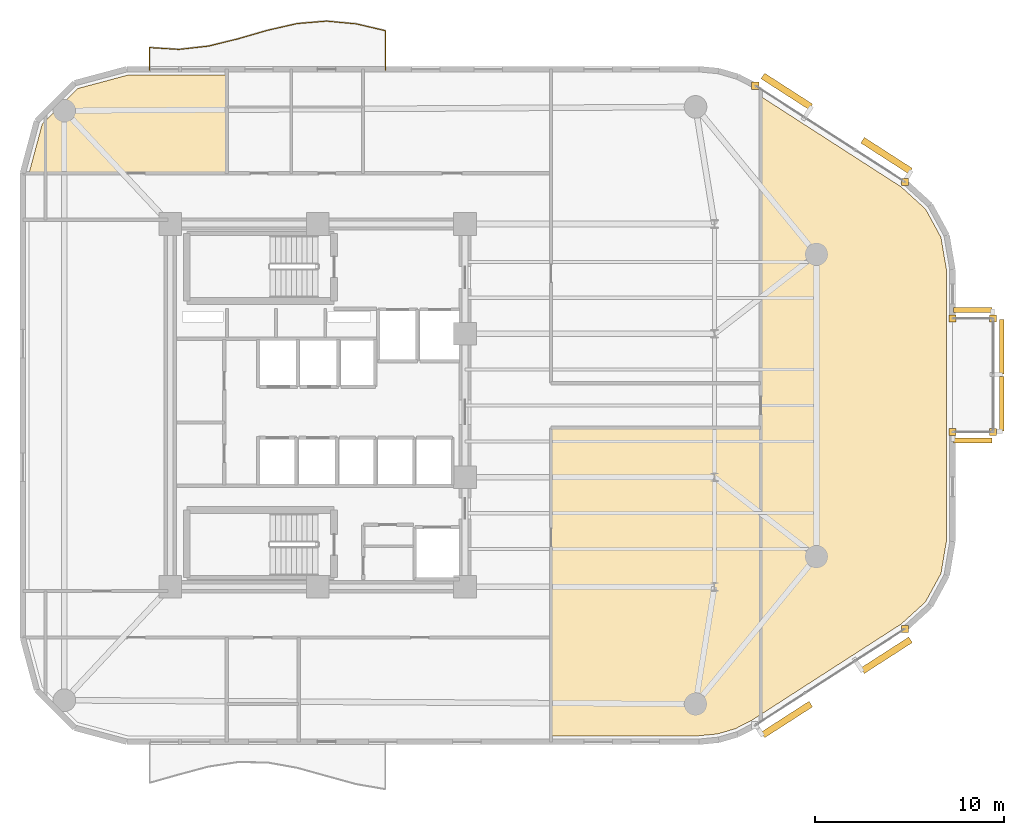
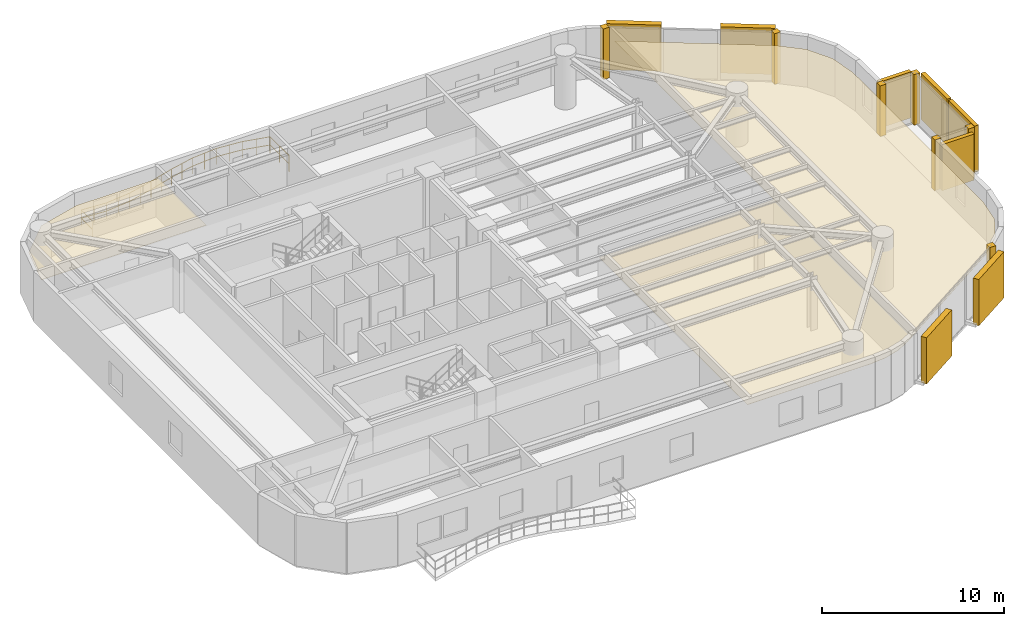
# One storey, part 12 of 12: 10 coverings, 8 shading devices, 1 railing.
"""IFC4 building model written with IfcOpenShell, lengths in metres."""

from ifc_helpers import new_model, si_unit, direction, frame, origin, origin_2d, place, context, subcontext, project, spatial, polyline, rectangle, circle, outline, extrude, material, layer, layer_set, type_object, element, save


model = new_model("IFC4")

# Units and contexts
model_context = context("Model", 3, precision=1e-05, world=origin(), true_north=direction((0.0, 1.0)))
body_context = subcontext(model_context, "Body", "Model", "MODEL_VIEW")
ifc_project = project(units=[si_unit("LENGTHUNIT", "METRE"), si_unit("AREAUNIT", "SQUARE_METRE"), si_unit("VOLUMEUNIT", "CUBIC_METRE"), si_unit("PLANEANGLEUNIT", "RADIAN"), si_unit("MASSUNIT", "GRAM", prefix="KILO")], contexts=[model_context])

# Site, building, storey
site_placement = place(None, origin())
site = spatial("IfcSite", under=ifc_project, at=site_placement, CompositionType="ELEMENT")
building_placement = place(site_placement, origin())
building = spatial("IfcBuilding", under=site, at=building_placement, Name="An Khanh Terracotta Commons", CompositionType="ELEMENT")
storey_placement = place(building_placement, frame((0.0, 0.0, 161.800048828125)))
storey = spatial("IfcBuildingStorey", under=building, at=storey_placement, Name="L42", CompositionType="ELEMENT", Elevation=161.800048828125)

# Coverings
ifc_material_1 = material(Name="Perforated Mineral-Fibre Acoustic Tile")
ifc_layer_1 = layer(ifc_material_1, 0.02001953125, Name="Perforated Mineral-Fibre Acoustic Tile")
ifc_layer_set_1 = layer_set([ifc_layer_1], Name="Perforated Mineral-Fibre Acoustic Tile")
covering_type_1 = type_object("IfcCoveringType", Name="CEIL-ACOUSTIC-18", PredefinedType="CEILING", material=ifc_layer_set_1)
covering_1_placement = place(storey_placement, frame((0.0, 0.0, 2.64990234375)))
element("IfcCovering", 1, at=covering_1_placement, inside=storey, type_object=covering_type_1, Name="L42 Riverfront Reading Hall Ceiling", PredefinedType="CEILING", context=body_context, shape_type="SweptSolid", body=[
    extrude(outline(polyline([(52.39892578125, 7.35302734375), (51.510009765625, 6.89306640625), (50.56396484375, 6.615966796875), (49.56689453125, 6.52001953125), (41.75, 6.52001953125), (41.75, 11.719970703125), (41.75, 14.179931640625), (41.75, 22.820068359375), (52.85009765625, 22.820068359375), (52.85009765625, 7.64306640625), (52.39892578125, 7.35302734375)])), origin(), (0.0, 0.0, 1.0), 0.02001953125),
])
covering_2_placement = place(storey_placement, frame((0.0, 0.0, 2.64990234375)))
element("IfcCovering", 2, at=covering_2_placement, inside=storey, type_object=covering_type_1, Name="L42 Riverfront Reference Library Ceiling", PredefinedType="CEILING", context=body_context, shape_type="SweptSolid", body=[
    extrude(outline(polyline([(60.281982421875, 35.569091796875), (61.571044921875, 34.39697265625), (62.39111328125, 32.89111328125), (62.679931640625, 31.173095703125), (62.679931640625, 16.826904296875), (62.39111328125, 15.10888671875), (61.571044921875, 13.60302734375), (60.281982421875, 12.430908203125), (52.85009765625, 7.64306640625), (52.85009765625, 22.820068359375), (52.85009765625, 25.179931640625), (52.85009765625, 40.35693359375), (60.281982421875, 35.569091796875)])), origin(), (0.0, 0.0, 1.0), 0.02001953125),
])
covering_3_placement = place(storey_placement, frame((0.0, 0.0, 2.64990234375)))
element("IfcCovering", 3, at=covering_3_placement, inside=storey, type_object=covering_type_1, Name="L42 Student Reading Library Ceiling", PredefinedType="CEILING", context=body_context, shape_type="SweptSolid", body=[
    extrude(outline(polyline([(24.60009765625, 41.47998046875), (24.60009765625, 39.800048828125), (24.60009765625, 36.280029296875), (15.0, 36.280029296875), (14.1259765625, 36.280029296875), (14.823974609375, 38.884033203125), (16.716064453125, 40.77587890625), (19.342041015625, 41.47998046875), (24.60009765625, 41.47998046875)])), origin(), (0.0, 0.0, 1.0), 0.02001953125),
])
ifc_material_2 = material(Name="Fired Terracotta Rainscreen Cladding", Category="masonry")
ifc_layer_2 = layer(ifc_material_2, 0.080078125, Name="Fired Terracotta Rainscreen Cladding")
ifc_layer_set_2 = layer_set([ifc_layer_2], Name="Fired Terracotta Rainscreen Cladding")
covering_type_2 = type_object("IfcCoveringType", Name="COV-JAMB-TERRA", PredefinedType="CLADDING", material=ifc_layer_set_2)
for number, where, z_axis, x_axis, name in (
    (4, (60.47802734375, 12.176025390625, 0.0), (0.0, 0.0, 1.0), (1.0, 0.0, 0.0), "L42 CW-03 Curtain-Wall Jamb Closure JB"),
    (5, (65.14990234375, 22.60009765625, 0.0), (0.0, 0.0, 1.0), (1.0, 0.0, 0.0), "L42 CW-04 Curtain-Wall Jamb Closure JA"),
    (6, (65.14990234375, 28.60009765625, 0.0), (0.0, 0.0, 1.0), (1.0, 0.0, 0.0), "L42 CW-04 Curtain-Wall Jamb Closure JB"),
    (7, (63.0, 22.60009765625, 0.0), (0.0, 0.0, 1.0), (1.0, 0.0, 0.0), "L42 CW-04 Curtain-Wall Jamb Closure JA"),
    (8, (63.0, 28.60009765625, 0.0), (0.0, 0.0, 1.0), (1.0, 0.0, 0.0), "L42 CW-04 Curtain-Wall Jamb Closure JB"),
    (9, (60.47802734375, 35.823974609375, 0.0), (0.0, 0.0, 1.0), (1.0, 0.0, 0.0), "L42 CW-03 Curtain-Wall Jamb Closure JA"),
    (10, (52.56005859375, 40.924072265625, 0.0), (0.0, 0.0, 1.0), (1.0, 0.0, 0.0), "L42 CW-03 Curtain-Wall Jamb Closure JB"),
):
    element("IfcCovering", number, at=place(storey_placement, frame(where, z_axis=z_axis, x_axis=x_axis)), inside=storey, type_object=covering_type_2, Name=name, PredefinedType="CLADDING", context=body_context, shape_type="SweptSolid", body=[
        extrude(rectangle(XDim=0.3798828125, YDim=0.3798828125, at=origin_2d()), origin(), (0.0, 0.0, 1.0), 3.39990234375),
    ])

# Railing
ifc_material_3 = material(Name="Brushed Stainless Steel 316", Category="steel")
railing_type = type_object("IfcRailingType", Name="RAIL-BALUSTRADE-1100", PredefinedType="BALUSTRADE", material=ifc_material_3)
railing_placement = place(storey_placement, frame((33.0, 41.739990234375, 0.0)))
element("IfcRailing", 11, at=railing_placement, inside=storey, type_object=railing_type, Name="L42 N Wave Balcony Guard Balustrade", PredefinedType="BALUSTRADE", context=body_context, shape_type="SweptSolid", body=[
    extrude(circle(Radius=0.02392578125, at=origin_2d()), frame((0.0, 0.0, 1.076171875), z_axis=(0.0, 1.0, 0.0), x_axis=(-1.0, 0.0, 0.0)), (0.0, 0.0, 1.0), 2.091064453125),
    extrude(circle(Radius=0.02392578125, at=origin_2d()), frame((0.0, 0.0, 0.52587890625), z_axis=(0.0, 1.0, 0.0), x_axis=(-1.0, 0.0, 0.0)), (0.0, 0.0, 1.0), 2.091064453125),
    extrude(circle(Radius=0.02392578125, at=origin_2d()), frame((0.0, 2.091064453125, 1.076171875), z_axis=(-0.973769311576, 0.227537530604, 0.0), x_axis=(-0.227537530604, -0.973769311576, 0.0)), (0.0, 0.0, 1.0), 1.60400390625),
    extrude(circle(Radius=0.02392578125, at=origin_2d()), frame((0.0, 2.091064453125, 0.52587890625), z_axis=(-0.973769311576, 0.227537530604, 0.0), x_axis=(-0.227537530604, -0.973769311576, 0.0)), (0.0, 0.0, 1.0), 1.60400390625),
    extrude(circle(Radius=0.02392578125, at=origin_2d()), frame((-1.56201171875, 2.4560546875, 1.076171875), z_axis=(-0.995780247509, 0.091769813501, 0.0), x_axis=(-0.091769813501, -0.995780247509, 0.0)), (0.0, 0.0, 1.0), 1.569580078125),
    extrude(circle(Radius=0.02392578125, at=origin_2d()), frame((-1.56201171875, 2.4560546875, 0.52587890625), z_axis=(-0.995780247509, 0.091769813501, 0.0), x_axis=(-0.091769813501, -0.995780247509, 0.0)), (0.0, 0.0, 1.0), 1.569580078125),
    extrude(circle(Radius=0.02392578125, at=origin_2d()), frame((-3.125, 2.60009765625, 1.076171875), z_axis=(-0.99655219646, -0.082968185054, 0.0), x_axis=(0.082968185054, -0.99655219646, 0.0)), (0.0, 0.0, 1.0), 1.568359375),
    extrude(circle(Radius=0.02392578125, at=origin_2d()), frame((-3.125, 2.60009765625, 0.52587890625), z_axis=(-0.99655219646, -0.082968185054, 0.0), x_axis=(0.082968185054, -0.99655219646, 0.0)), (0.0, 0.0, 1.0), 1.568359375),
    extrude(circle(Radius=0.02392578125, at=origin_2d()), frame((-4.68798828125, 2.469970703125, 1.076171875), z_axis=(-0.975003951469, -0.222187521295, 0.0), x_axis=(0.222187521295, -0.975003951469, 0.0)), (0.0, 0.0, 1.0), 1.60205078125),
    extrude(circle(Radius=0.02392578125, at=origin_2d()), frame((-4.68798828125, 2.469970703125, 0.52587890625), z_axis=(-0.975003951469, -0.222187521295, 0.0), x_axis=(0.222187521295, -0.975003951469, 0.0)), (0.0, 0.0, 1.0), 1.60205078125),
    extrude(circle(Radius=0.02392578125, at=origin_2d()), frame((-6.25, 2.114013671875, 1.076171875), z_axis=(-0.960606465703, -0.27791224883, 0.0), x_axis=(0.27791224883, -0.960606465703, 0.0)), (0.0, 0.0, 1.0), 1.6259765625),
    extrude(circle(Radius=0.02392578125, at=origin_2d()), frame((-6.25, 2.114013671875, 0.52587890625), z_axis=(-0.960606465703, -0.27791224883, 0.0), x_axis=(0.27791224883, -0.960606465703, 0.0)), (0.0, 0.0, 1.0), 1.6259765625),
    extrude(circle(Radius=0.02392578125, at=origin_2d()), frame((-7.81201171875, 1.662109375, 1.076171875), z_axis=(-0.971116076052, -0.238607558205, 0.0), x_axis=(0.238607558205, -0.971116076052, 0.0)), (0.0, 0.0, 1.0), 1.609375),
    extrude(circle(Radius=0.02392578125, at=origin_2d()), frame((-7.81201171875, 1.662109375, 0.52587890625), z_axis=(-0.971116076052, -0.238607558205, 0.0), x_axis=(0.238607558205, -0.971116076052, 0.0)), (0.0, 0.0, 1.0), 1.609375),
    extrude(circle(Radius=0.02392578125, at=origin_2d()), frame((-9.375, 1.278076171875, 1.076171875), z_axis=(-0.993786808935, -0.111300397064, 0.0), x_axis=(0.111300397064, -0.993786808935, 0.0)), (0.0, 0.0, 1.0), 1.57275390625),
    extrude(circle(Radius=0.02392578125, at=origin_2d()), frame((-9.375, 1.278076171875, 0.52587890625), z_axis=(-0.993786808935, -0.111300397064, 0.0), x_axis=(0.111300397064, -0.993786808935, 0.0)), (0.0, 0.0, 1.0), 1.57275390625),
    extrude(circle(Radius=0.02392578125, at=origin_2d()), frame((-10.93798828125, 1.10302734375, 1.076171875), z_axis=(-0.998080400461, 0.061931528444, 0.0), x_axis=(-0.061931528444, -0.998080400461, 0.0)), (0.0, 0.0, 1.0), 1.56494140625),
    extrude(circle(Radius=0.02392578125, at=origin_2d()), frame((-10.93798828125, 1.10302734375, 0.52587890625), z_axis=(-0.998080400461, 0.061931528444, 0.0), x_axis=(-0.061931528444, -0.998080400461, 0.0)), (0.0, 0.0, 1.0), 1.56494140625),
    extrude(circle(Radius=0.02392578125, at=origin_2d()), frame((-12.5, 1.199951171875, 1.076171875), z_axis=(0.0, -1.0, 0.0), x_axis=(1.0, 0.0, 0.0)), (0.0, 0.0, 1.0), 1.199951171875),
    extrude(circle(Radius=0.02392578125, at=origin_2d()), frame((-12.5, 1.199951171875, 0.52587890625), z_axis=(0.0, -1.0, 0.0), x_axis=(1.0, 0.0, 0.0)), (0.0, 0.0, 1.0), 1.199951171875),
    extrude(circle(Radius=0.02099609375, at=origin_2d()), origin(), (0.0, 0.0, 1.0), 1.052001953125),
    extrude(circle(Radius=0.02099609375, at=origin_2d()), frame((0.0, 1.04541015625, 0.0)), (0.0, 0.0, 1.0), 1.052001953125),
    extrude(circle(Radius=0.02099609375, at=origin_2d()), frame((0.0, 2.091064453125, 0.0)), (0.0, 0.0, 1.0), 1.052001953125),
    extrude(circle(Radius=0.02099609375, at=origin_2d()), frame((-0.781005859375, 2.2734375, 0.0)), (0.0, 0.0, 1.0), 1.052001953125),
    extrude(circle(Radius=0.02099609375, at=origin_2d()), frame((-1.56201171875, 2.4560546875, 0.0)), (0.0, 0.0, 1.0), 1.052001953125),
    extrude(circle(Radius=0.02099609375, at=origin_2d()), frame((-2.343505859375, 2.528076171875, 0.0)), (0.0, 0.0, 1.0), 1.052001953125),
    extrude(circle(Radius=0.02099609375, at=origin_2d()), frame((-3.125, 2.60009765625, 0.0)), (0.0, 0.0, 1.0), 1.052001953125),
    extrude(circle(Radius=0.02099609375, at=origin_2d()), frame((-3.906494140625, 2.53515625, 0.0)), (0.0, 0.0, 1.0), 1.052001953125),
    extrude(circle(Radius=0.02099609375, at=origin_2d()), frame((-4.68798828125, 2.469970703125, 0.0)), (0.0, 0.0, 1.0), 1.052001953125),
    extrude(circle(Radius=0.02099609375, at=origin_2d()), frame((-5.468994140625, 2.2919921875, 0.0)), (0.0, 0.0, 1.0), 1.052001953125),
    extrude(circle(Radius=0.02099609375, at=origin_2d()), frame((-6.25, 2.114013671875, 0.0)), (0.0, 0.0, 1.0), 1.052001953125),
    extrude(circle(Radius=0.02099609375, at=origin_2d()), frame((-7.031005859375, 1.88818359375, 0.0)), (0.0, 0.0, 1.0), 1.052001953125),
    extrude(circle(Radius=0.02099609375, at=origin_2d()), frame((-7.81201171875, 1.662109375, 0.0)), (0.0, 0.0, 1.0), 1.052001953125),
    extrude(circle(Radius=0.02099609375, at=origin_2d()), frame((-8.593505859375, 1.47021484375, 0.0)), (0.0, 0.0, 1.0), 1.052001953125),
    extrude(circle(Radius=0.02099609375, at=origin_2d()), frame((-9.375, 1.278076171875, 0.0)), (0.0, 0.0, 1.0), 1.052001953125),
    extrude(circle(Radius=0.02099609375, at=origin_2d()), frame((-10.156494140625, 1.1904296875, 0.0)), (0.0, 0.0, 1.0), 1.052001953125),
    extrude(circle(Radius=0.02099609375, at=origin_2d()), frame((-10.93798828125, 1.10302734375, 0.0)), (0.0, 0.0, 1.0), 1.052001953125),
    extrude(circle(Radius=0.02099609375, at=origin_2d()), frame((-11.718994140625, 1.1513671875, 0.0)), (0.0, 0.0, 1.0), 1.052001953125),
    extrude(circle(Radius=0.02099609375, at=origin_2d()), frame((-12.5, 1.199951171875, 0.0)), (0.0, 0.0, 1.0), 1.052001953125),
    extrude(circle(Radius=0.02099609375, at=origin_2d()), frame((-12.5, 0.0, 0.0)), (0.0, 0.0, 1.0), 1.052001953125),
])

# Shading devices
ifc_material_4 = material(Name="Warm Hardwood Timber-Finish Aluminium", Category="wood")
shading_device_type_1 = type_object("IfcShadingDeviceType", Name="Shifted Box Timber-Toned Louvre Screen", PredefinedType="USERDEFINED", material=ifc_material_4)
for number, where, z_axis, x_axis, name in (
    (12, (65.60009765625, 24.10009765625, 0.14990234375), (0.0, 0.0, 1.0), (0.0, 1.0, 0.0), "L42 Louvre Screen 1"),
    (13, (65.60009765625, 27.10009765625, 0.14990234375), (0.0, 0.0, 1.0), (0.0, 1.0, 0.0), "L42 Louvre Screen 2"),
):
    element("IfcShadingDevice", number, at=place(storey_placement, frame(where, z_axis=z_axis, x_axis=x_axis)), inside=storey, type_object=shading_device_type_1, Name=name, ObjectType="LOUVRE", PredefinedType="USERDEFINED", context=body_context, shape_type="SweptSolid", body=[
        extrude(rectangle(XDim=2.8798828125, YDim=0.25, at=origin_2d()), origin(), (0.0, 0.0, 1.0), 3.10009765625),
    ])
for number, where, z_axis, x_axis, name in (
    (14, (64.074951171875, 22.14990234375, 0.14990234375), (0.0, 0.0, 1.0), (1.0, 0.0, 0.0), "L42 Louvre Screen 1"),
    (15, (64.074951171875, 29.050048828125, 0.14990234375), (0.0, 0.0, 1.0), (-1.0, 0.0, 0.0), "L42 Louvre Screen 1"),
):
    element("IfcShadingDevice", number, at=place(storey_placement, frame(where, z_axis=z_axis, x_axis=x_axis)), inside=storey, type_object=shading_device_type_1, Name=name, ObjectType="LOUVRE", PredefinedType="USERDEFINED", context=body_context, shape_type="SweptSolid", body=[
        extrude(rectangle(XDim=2.030029296875, YDim=0.25, at=origin_2d()), origin(), (0.0, 0.0, 1.0), 3.10009765625),
    ])
ifc_material_5 = material(Name="Extruded Fired Terracotta", Category="masonry")
shading_device_type_2 = type_object("IfcShadingDeviceType", Name="Terracotta Baguette Screen Assembly", PredefinedType="USERDEFINED", material=ifc_material_5)
for number, where, z_axis, x_axis, name in (
    (16, (54.23193359375, 7.3798828125, 0.14990234375), (0.0, 0.0, 1.0), (0.840702081986, 0.541497931062, 0.0), "L42 Terracotta Baguette Screen 1"),
    (17, (59.510009765625, 10.780029296875, 0.14990234375), (0.0, 0.0, 1.0), (0.840702081986, 0.541497931062, 0.0), "L42 Terracotta Baguette Screen 3"),
    (18, (59.510009765625, 37.219970703125, 0.14990234375), (0.0, 0.0, 1.0), (-0.840702081986, 0.541497931062, 0.0), "L42 Terracotta Baguette Screen 1"),
    (19, (54.23193359375, 40.6201171875, 0.14990234375), (0.0, 0.0, 1.0), (-0.840702081986, 0.541497931062, 0.0), "L42 Terracotta Baguette Screen 3"),
):
    element("IfcShadingDevice", number, at=place(storey_placement, frame(where, z_axis=z_axis, x_axis=x_axis)), inside=storey, type_object=shading_device_type_2, Name=name, ObjectType="BAGUETTE", PredefinedType="USERDEFINED", context=body_context, shape_type="SweptSolid", body=[
        extrude(rectangle(XDim=3.01904296875, YDim=0.35009765625, at=origin_2d()), origin(), (0.0, 0.0, 1.0), 3.10009765625),
    ])

save(model, "model.ifc")
